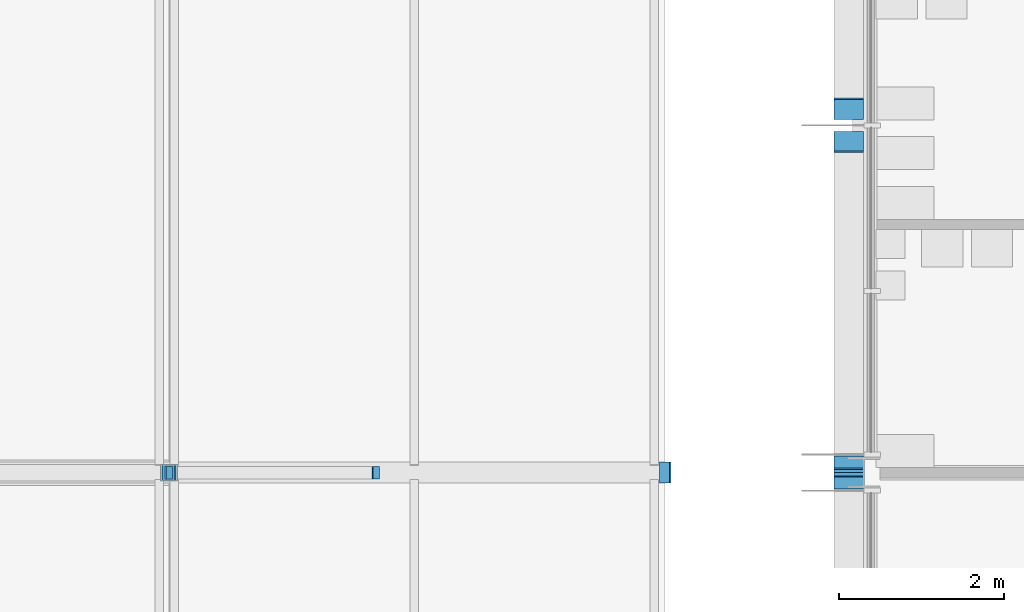
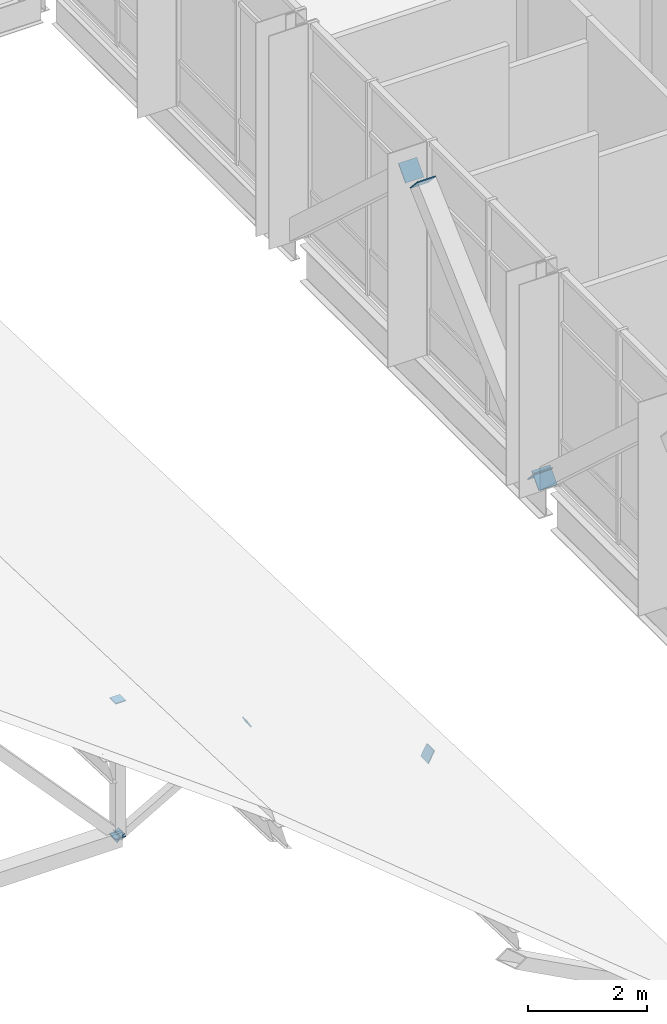
# One storey, part 55 of 76: 10 discrete accessories.
"""IFC4 building model written with IfcOpenShell, lengths in metres."""

import ifcopenshell
import ifcopenshell.guid

model = None  # the IFC model being written
_history = None  # IfcOwnerHistory: only IFC2X3 demands one
_inside = {}  # id of a spatial element -> (the spatial element, [elements in it])
_under = {}  # id of a project, library or spatial element -> (it, [spatial elements below it])
_declared = {}  # id of a project -> (the project, [libraries it declares])
_typed = {}  # id of a type object -> (the type object, [elements of that type])
_made_of = {}  # id of a material, layer set ... -> (it, [elements and type objects made of it])


def new_model(schema):
    """Start an empty IFC model of exactly this schema.

    Asked for "IFC4X3", IfcOpenShell would pick the latest addendum, in which some entities
    have other attributes; the version numbers below select the first issue.
    IFC2X3 requires an IfcOwnerHistory on every rooted entity: one is made here for all.
    """
    global model, _history
    if schema == "IFC4X3":
        model = ifcopenshell.file(schema_version=(4, 3, 0, 0))
    else:
        model = ifcopenshell.file(schema=schema)
    _inside.clear()
    _under.clear()
    _declared.clear()
    _typed.clear()
    _made_of.clear()
    _history = None
    if model.schema == "IFC2X3":
        org = make("IfcOrganization", Name="unknown")
        user = make(
            "IfcPersonAndOrganization",
            ThePerson=make("IfcPerson", FamilyName="unknown"),
            TheOrganization=org,
        )
        app = make(
            "IfcApplication",
            ApplicationDeveloper=org,
            Version="unknown",
            ApplicationFullName="unknown",
            ApplicationIdentifier="unknown",
        )
        _history = make(
            "IfcOwnerHistory",
            OwningUser=user,
            OwningApplication=app,
            ChangeAction="ADDED",
            CreationDate=0,
        )
    return model


def make(cls, **values):
    """One entity of the class cls with the attributes given. An attribute that is None is left unset."""
    return model.create_entity(
        cls, **{name: value for name, value in values.items() if value is not None}
    )


def rooted(cls, **values):
    """An entity with a GlobalId (a new one), such as an element, a storey or a relation."""
    return make(cls, GlobalId=ifcopenshell.guid.new(), OwnerHistory=_history, **values)


def si_unit(unit_type, name, prefix=None):
    """IfcSIUnit, for example si_unit("LENGTHUNIT", "METRE", prefix="MILLI")."""
    return make("IfcSIUnit", UnitType=unit_type, Prefix=prefix, Name=name)


def assignment(units):
    """IfcUnitAssignment: the units of a project."""
    return None if units is None else make("IfcUnitAssignment", Units=units)


def point(xyz):
    """IfcCartesianPoint."""
    return None if xyz is None else make("IfcCartesianPoint", Coordinates=xyz)


def direction(xyz):
    """IfcDirection."""
    return None if xyz is None else make("IfcDirection", DirectionRatios=xyz)


def frame(location, z_axis=None, x_axis=None):
    """IfcAxis2Placement3D, a coordinate frame: its origin and axes. An axis left out is left unset."""
    return make(
        "IfcAxis2Placement3D",
        Location=point(location),
        Axis=direction(z_axis),
        RefDirection=direction(x_axis),
    )


def frame_2d(location, x_axis=None):
    """IfcAxis2Placement2D, a coordinate frame in the plane: its origin and x axis."""
    return make(
        "IfcAxis2Placement2D", Location=point(location), RefDirection=direction(x_axis)
    )


def origin():
    """The frame at (0, 0, 0) with its axes left unset."""
    return frame((0.0, 0.0, 0.0))


def origin_2d():
    """The frame at (0, 0) in the plane with its x axis left unset."""
    return frame_2d((0.0, 0.0))


def place(relative_to, where):
    """IfcLocalPlacement: puts the frame where relative to a parent placement (None: the world)."""
    return make(
        "IfcLocalPlacement", PlacementRelTo=relative_to, RelativePlacement=where
    )


def context(
    kind, dimensions, precision=None, world=None, true_north=None, identifier=None
):
    """IfcGeometricRepresentationContext, for example the 3D "Model" context."""
    return make(
        "IfcGeometricRepresentationContext",
        ContextIdentifier=identifier,
        ContextType=kind,
        CoordinateSpaceDimension=dimensions,
        Precision=precision,
        WorldCoordinateSystem=world,
        TrueNorth=true_north,
    )


def subcontext(parent, identifier, kind, view, scale=None):
    """IfcGeometricRepresentationSubContext, for example "Body" below "Model"."""
    return make(
        "IfcGeometricRepresentationSubContext",
        ContextIdentifier=identifier,
        ContextType=kind,
        ParentContext=parent,
        TargetScale=scale,
        TargetView=view,
    )


def project(units=None, contexts=None):
    """IfcProject with its units and contexts."""
    return rooted(
        "IfcProject",
        Name="project",
        RepresentationContexts=contexts,
        UnitsInContext=assignment(units),
    )


def spatial(cls, under=None, at=None, **own):
    """A site, building, storey or space (cls), placed at a placement, below another one or the project."""
    s = rooted(cls, ObjectPlacement=at, **own)
    if under is not None:
        _under.setdefault(under.id(), (under, []))[1].append(s)
    return s


def profile(cls, at=None, kind="AREA", **sizes):
    """A parametric profile (cls). Its sizes go by their IFC names, for example OverallWidth=200.0."""
    return make(cls, ProfileType=kind, Position=at, **sizes)


def rectangle(**sizes):
    """IfcRectangleProfileDef."""
    return profile("IfcRectangleProfileDef", **sizes)


def extrude(swept, where, along, depth):
    """IfcExtrudedAreaSolid: the profile swept, set in the frame where, extruded along a direction by depth."""
    return make(
        "IfcExtrudedAreaSolid",
        SweptArea=swept,
        Position=where,
        ExtrudedDirection=direction(along),
        Depth=depth,
    )


def shape(context_of_items, identifier, shape_type, items):
    """IfcShapeRepresentation: the items that make up one representation, for example the "Body"."""
    return make(
        "IfcShapeRepresentation",
        ContextOfItems=context_of_items,
        RepresentationIdentifier=identifier,
        RepresentationType=shape_type,
        Items=items,
    )


def material(Name=None, Category=None):
    """IfcMaterial."""
    return make("IfcMaterial", Name=Name, Category=Category)


def made_of(thing, what):
    """Note that an element or type object is made of a material, layer set ...; save() writes the relation."""
    if what is not None:
        _made_of.setdefault(what.id(), (what, []))[1].append(thing)
    return thing


def element(
    cls,
    number,
    at=None,
    inside=None,
    cuts=None,
    type_object=None,
    material=None,
    context=None,
    identifier="Body",
    shape_type=None,
    held_by="IfcProductDefinitionShape",
    body=None,
    shapes=None,
    **own,
):
    """One element of the class cls, such as IfcWall. Its Tag is "e" and its number.

    at: its placement. inside: the storey or other place that contains it. cuts: it is an
    opening in that element (IfcRelVoidsElement). A single representation is given by context,
    identifier, shape_type and body (its items); several are given by shapes. held_by: the class
    of the entity that holds the representations. save() writes the other relations.
    """
    e = rooted(cls, Tag="e%d" % number, ObjectPlacement=at, **own)
    if body is not None:
        shapes = [shape(context, identifier, shape_type, body)]
    if shapes is not None:
        e.Representation = make(held_by, Representations=shapes)
    if inside is not None:
        _inside.setdefault(inside.id(), (inside, []))[1].append(e)
    if cuts is not None:
        rooted(
            "IfcRelVoidsElement", RelatingBuildingElement=cuts, RelatedOpeningElement=e
        )
    if type_object is not None:
        _typed.setdefault(type_object.id(), (type_object, []))[1].append(e)
    return made_of(e, material)


def aggregate(whole, parts):
    """IfcRelAggregates: a whole, such as a stair, and the parts it consists of."""
    return rooted("IfcRelAggregates", RelatingObject=whole, RelatedObjects=parts)


def save(model, path):
    """Write the relations noted so far, then the file.

    IfcRelAggregates (storeys below a building ...), IfcRelContainedInSpatialStructure (elements
    in a storey), IfcRelDefinesByType, IfcRelAssociatesMaterial and IfcRelDeclares: one each for
    every whole, place, type object, material and project.
    """
    for whole, parts in _under.values():
        aggregate(whole, parts)
    for where, things in _inside.values():
        rooted(
            "IfcRelContainedInSpatialStructure",
            RelatedElements=things,
            RelatingStructure=where,
        )
    for kind, things in _typed.values():
        rooted("IfcRelDefinesByType", RelatedObjects=things, RelatingType=kind)
    for what, things in _made_of.values():
        rooted("IfcRelAssociatesMaterial", RelatedObjects=things, RelatingMaterial=what)
    for by, libraries in _declared.values():
        rooted("IfcRelDeclares", RelatingContext=by, RelatedDefinitions=libraries)
    model.write(path)


model = new_model("IFC4")

# Units and contexts
model_context = context("Model", 3, precision=1e-05, world=origin(), true_north=direction((0.0, 1.0)))
body_context = subcontext(model_context, "Body", "Model", "MODEL_VIEW")
ifc_project = project(units=[si_unit("LENGTHUNIT", "METRE"), si_unit("AREAUNIT", "SQUARE_METRE"), si_unit("VOLUMEUNIT", "CUBIC_METRE"), si_unit("PLANEANGLEUNIT", "RADIAN"), si_unit("MASSUNIT", "GRAM", prefix="KILO")], contexts=[model_context])

# Site, building, storey
site_placement = place(None, origin())
site = spatial("IfcSite", under=ifc_project, at=site_placement, CompositionType="ELEMENT")
building_placement = place(site_placement, origin())
building = spatial("IfcBuilding", under=site, at=building_placement, Name="Hlaing Beacon Police Headquarters", CompositionType="ELEMENT")
storey_placement = place(building_placement, frame((0.0, 0.0, 18.89990234375)))
storey = spatial("IfcBuildingStorey", under=building, at=storey_placement, Name="L04", CompositionType="ELEMENT", Elevation=18.89990234375)

# Discrete accessories
ifc_material = material(Name="Steel ASTM A572 Grade 50", Category="steel")
for number, where, z_axis, x_axis, name in (
    (1, (100.6181640625, 50.319580078125, 0.137939453125), (0.0, 0.738446730342, -0.674311816927), (-1.0, 0.0, 0.0), "Gusset plate GP-051"),
    (2, (100.6181640625, 50.480224609375, 0.137939453125), (0.0, -0.738446730342, -0.674311816927), (1.0, 0.0, 0.0), "Gusset plate GP-053"),
    (3, (100.6181640625, 54.392578125, 3.710205078125), (0.0, 0.738446730342, 0.674311816927), (-1.0, 0.0, 0.0), "Gusset plate GP-054"),
    (4, (100.6181640625, 54.807373046875, 3.710205078125), (0.0, -0.738446730342, 0.674311816927), (1.0, 0.0, 0.0), "Gusset plate GP-056"),
):
    element("IfcDiscreteAccessory", number, at=place(storey_placement, frame(where, z_axis=z_axis, x_axis=x_axis)), inside=storey, material=ifc_material, Name=name, PredefinedType="BRACKET", context=body_context, shape_type="SweptSolid", body=[
        extrude(rectangle(XDim=0.355712890625, YDim=0.355712890625, at=origin_2d()), origin(), (0.0, 0.0, 1.0), 0.02001953125),
    ])
for number, where, z_axis, x_axis, name in (
    (5, (92.39990234375, 50.39990234375, -4.33740234375), (0.0, 0.0, -1.0), (1.0, 0.0, 0.0), "Gusset plate GP-301"),
    (6, (92.39990234375, 50.39990234375, -1.579345703125), (0.0, 0.0, 1.0), (1.0, 0.0, 0.0), "Gusset plate GP-302"),
):
    element("IfcDiscreteAccessory", number, at=place(storey_placement, frame(where, z_axis=z_axis, x_axis=x_axis)), inside=storey, material=ifc_material, Name=name, PredefinedType="BRACKET", context=body_context, shape_type="SweptSolid", body=[
        extrude(rectangle(XDim=0.203125, YDim=0.203125, at=origin_2d()), origin(), (0.0, 0.0, 1.0), 0.02001953125),
    ])
discrete_accessory_1_placement = place(storey_placement, frame((92.39453125, 50.39990234375, -4.341552734375), z_axis=(0.675077544232, 0.0, -0.737746778559), x_axis=(0.0, 1.0, 0.0)))
element("IfcDiscreteAccessory", 7, at=discrete_accessory_1_placement, inside=storey, material=ifc_material, Name="Gusset plate GP-318", PredefinedType="BRACKET", context=body_context, shape_type="SweptSolid", body=[
    extrude(rectangle(XDim=0.203125, YDim=0.203125, at=origin_2d()), origin(), (0.0, 0.0, 1.0), 0.01611328125),
])
for number, where, z_axis, x_axis, name in (
    (8, (92.40673828125, 50.39990234375, -4.343505859375), (-0.866540389944, 0.0, -0.499106955067), (0.0, -1.0, 0.0), "Gusset plate GP-321"),
    (9, (94.89306640625, 50.39990234375, -2.911376953125), (0.866540389944, 0.0, 0.499106955067), (0.0, 1.0, 0.0), "Gusset plate GP-322"),
):
    element("IfcDiscreteAccessory", number, at=place(storey_placement, frame(where, z_axis=z_axis, x_axis=x_axis)), inside=storey, material=ifc_material, Name=name, PredefinedType="BRACKET", context=body_context, shape_type="SweptSolid", body=[
        extrude(rectangle(XDim=0.15234375, YDim=0.15234375, at=origin_2d()), origin(), (0.0, 0.0, 1.0), 0.01611328125),
    ])
discrete_accessory_2_placement = place(storey_placement, frame((98.39111328125, 50.39990234375, -4.7763671875), z_axis=(0.881639912586, 0.0, -0.47192273153), x_axis=(0.0, 1.0, 0.0)))
element("IfcDiscreteAccessory", 10, at=discrete_accessory_2_placement, inside=storey, material=ifc_material, Name="Chord end plate CE-005", PredefinedType="BRACKET", context=body_context, shape_type="SweptSolid", body=[
    extrude(rectangle(XDim=0.25390625, YDim=0.25390625, at=origin_2d()), origin(), (0.0, 0.0, 1.0), 0.02001953125),
])

save(model, "model.ifc")
